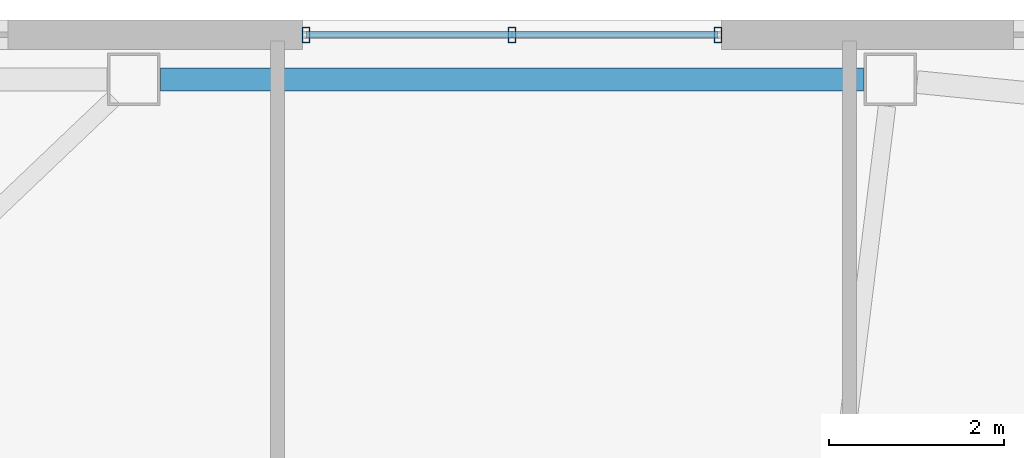
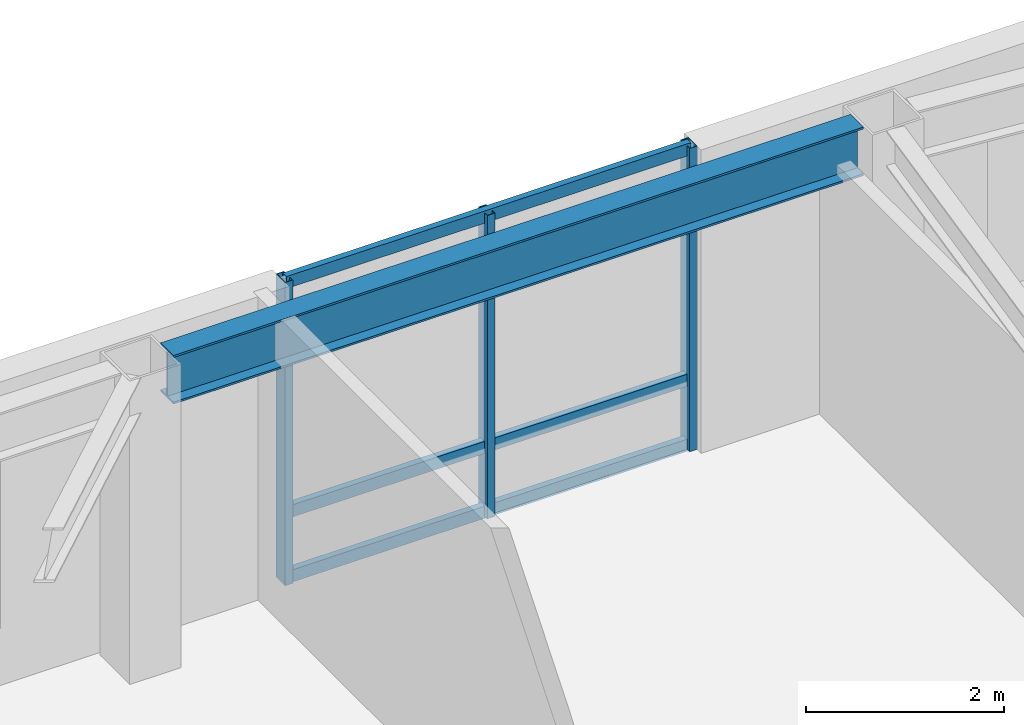
# One storey, part 5 of 16: 6 members, 1 beam, 1 element without a shape of its own.
"""IFC4 building model written with IfcOpenShell, lengths in metres."""

import ifcopenshell
import ifcopenshell.guid

model = None  # the IFC model being written
_history = None  # IfcOwnerHistory: only IFC2X3 demands one
_inside = {}  # id of a spatial element -> (the spatial element, [elements in it])
_under = {}  # id of a project, library or spatial element -> (it, [spatial elements below it])
_declared = {}  # id of a project -> (the project, [libraries it declares])
_typed = {}  # id of a type object -> (the type object, [elements of that type])
_made_of = {}  # id of a material, layer set ... -> (it, [elements and type objects made of it])


def new_model(schema):
    """Start an empty IFC model of exactly this schema.

    Asked for "IFC4X3", IfcOpenShell would pick the latest addendum, in which some entities
    have other attributes; the version numbers below select the first issue.
    IFC2X3 requires an IfcOwnerHistory on every rooted entity: one is made here for all.
    """
    global model, _history
    if schema == "IFC4X3":
        model = ifcopenshell.file(schema_version=(4, 3, 0, 0))
    else:
        model = ifcopenshell.file(schema=schema)
    _inside.clear()
    _under.clear()
    _declared.clear()
    _typed.clear()
    _made_of.clear()
    _history = None
    if model.schema == "IFC2X3":
        org = make("IfcOrganization", Name="unknown")
        user = make(
            "IfcPersonAndOrganization",
            ThePerson=make("IfcPerson", FamilyName="unknown"),
            TheOrganization=org,
        )
        app = make(
            "IfcApplication",
            ApplicationDeveloper=org,
            Version="unknown",
            ApplicationFullName="unknown",
            ApplicationIdentifier="unknown",
        )
        _history = make(
            "IfcOwnerHistory",
            OwningUser=user,
            OwningApplication=app,
            ChangeAction="ADDED",
            CreationDate=0,
        )
    return model


def make(cls, **values):
    """One entity of the class cls with the attributes given. An attribute that is None is left unset."""
    return model.create_entity(
        cls, **{name: value for name, value in values.items() if value is not None}
    )


def rooted(cls, **values):
    """An entity with a GlobalId (a new one), such as an element, a storey or a relation."""
    return make(cls, GlobalId=ifcopenshell.guid.new(), OwnerHistory=_history, **values)


def si_unit(unit_type, name, prefix=None):
    """IfcSIUnit, for example si_unit("LENGTHUNIT", "METRE", prefix="MILLI")."""
    return make("IfcSIUnit", UnitType=unit_type, Prefix=prefix, Name=name)


def assignment(units):
    """IfcUnitAssignment: the units of a project."""
    return None if units is None else make("IfcUnitAssignment", Units=units)


def point(xyz):
    """IfcCartesianPoint."""
    return None if xyz is None else make("IfcCartesianPoint", Coordinates=xyz)


def direction(xyz):
    """IfcDirection."""
    return None if xyz is None else make("IfcDirection", DirectionRatios=xyz)


def frame(location, z_axis=None, x_axis=None):
    """IfcAxis2Placement3D, a coordinate frame: its origin and axes. An axis left out is left unset."""
    return make(
        "IfcAxis2Placement3D",
        Location=point(location),
        Axis=direction(z_axis),
        RefDirection=direction(x_axis),
    )


def frame_2d(location, x_axis=None):
    """IfcAxis2Placement2D, a coordinate frame in the plane: its origin and x axis."""
    return make(
        "IfcAxis2Placement2D", Location=point(location), RefDirection=direction(x_axis)
    )


def origin():
    """The frame at (0, 0, 0) with its axes left unset."""
    return frame((0.0, 0.0, 0.0))


def origin_2d():
    """The frame at (0, 0) in the plane with its x axis left unset."""
    return frame_2d((0.0, 0.0))


def place(relative_to, where):
    """IfcLocalPlacement: puts the frame where relative to a parent placement (None: the world)."""
    return make(
        "IfcLocalPlacement", PlacementRelTo=relative_to, RelativePlacement=where
    )


def context(
    kind, dimensions, precision=None, world=None, true_north=None, identifier=None
):
    """IfcGeometricRepresentationContext, for example the 3D "Model" context."""
    return make(
        "IfcGeometricRepresentationContext",
        ContextIdentifier=identifier,
        ContextType=kind,
        CoordinateSpaceDimension=dimensions,
        Precision=precision,
        WorldCoordinateSystem=world,
        TrueNorth=true_north,
    )


def subcontext(parent, identifier, kind, view, scale=None):
    """IfcGeometricRepresentationSubContext, for example "Body" below "Model"."""
    return make(
        "IfcGeometricRepresentationSubContext",
        ContextIdentifier=identifier,
        ContextType=kind,
        ParentContext=parent,
        TargetScale=scale,
        TargetView=view,
    )


def project(units=None, contexts=None):
    """IfcProject with its units and contexts."""
    return rooted(
        "IfcProject",
        Name="project",
        RepresentationContexts=contexts,
        UnitsInContext=assignment(units),
    )


def spatial(cls, under=None, at=None, **own):
    """A site, building, storey or space (cls), placed at a placement, below another one or the project."""
    s = rooted(cls, ObjectPlacement=at, **own)
    if under is not None:
        _under.setdefault(under.id(), (under, []))[1].append(s)
    return s


def profile(cls, at=None, kind="AREA", **sizes):
    """A parametric profile (cls). Its sizes go by their IFC names, for example OverallWidth=200.0."""
    return make(cls, ProfileType=kind, Position=at, **sizes)


def hollow_rectangle(**sizes):
    """IfcRectangleHollowProfileDef."""
    return profile("IfcRectangleHollowProfileDef", **sizes)


def i_section(**sizes):
    """IfcIShapeProfileDef."""
    return profile("IfcIShapeProfileDef", **sizes)


def extrude(swept, where, along, depth):
    """IfcExtrudedAreaSolid: the profile swept, set in the frame where, extruded along a direction by depth."""
    return make(
        "IfcExtrudedAreaSolid",
        SweptArea=swept,
        Position=where,
        ExtrudedDirection=direction(along),
        Depth=depth,
    )


def shape(context_of_items, identifier, shape_type, items):
    """IfcShapeRepresentation: the items that make up one representation, for example the "Body"."""
    return make(
        "IfcShapeRepresentation",
        ContextOfItems=context_of_items,
        RepresentationIdentifier=identifier,
        RepresentationType=shape_type,
        Items=items,
    )


def material(Name=None, Category=None):
    """IfcMaterial."""
    return make("IfcMaterial", Name=Name, Category=Category)


def layer(
    of_material, thickness, ventilated=None, Name=None, Category=None, Priority=None
):
    """IfcMaterialLayer: one layer of a wall or slab, of a material (None: an air gap)."""
    return make(
        "IfcMaterialLayer",
        Material=of_material,
        LayerThickness=thickness,
        IsVentilated=ventilated,
        Name=Name,
        Category=Category,
        Priority=Priority,
    )


def layer_set(layers, Name=None):
    """IfcMaterialLayerSet."""
    return make("IfcMaterialLayerSet", MaterialLayers=layers, LayerSetName=Name)


def material_profile(
    of_material, cross_section, Name=None, Category=None, Priority=None
):
    """IfcMaterialProfile: a cross section and its material."""
    return make(
        "IfcMaterialProfile",
        Name=Name,
        Material=of_material,
        Profile=cross_section,
        Priority=Priority,
        Category=Category,
    )


def profile_set(profiles, Name=None, composite=None):
    """IfcMaterialProfileSet."""
    return make(
        "IfcMaterialProfileSet",
        Name=Name,
        MaterialProfiles=profiles,
        CompositeProfile=composite,
    )


def made_of(thing, what):
    """Note that an element or type object is made of a material, layer set ...; save() writes the relation."""
    if what is not None:
        _made_of.setdefault(what.id(), (what, []))[1].append(thing)
    return thing


def type_object(cls, material=None, **own):
    """A type object (cls), such as IfcWallType, which elements share."""
    return made_of(rooted(cls, **own), material)


def element(
    cls,
    number,
    at=None,
    inside=None,
    cuts=None,
    type_object=None,
    material=None,
    context=None,
    identifier="Body",
    shape_type=None,
    held_by="IfcProductDefinitionShape",
    body=None,
    shapes=None,
    **own,
):
    """One element of the class cls, such as IfcWall. Its Tag is "e" and its number.

    at: its placement. inside: the storey or other place that contains it. cuts: it is an
    opening in that element (IfcRelVoidsElement). A single representation is given by context,
    identifier, shape_type and body (its items); several are given by shapes. held_by: the class
    of the entity that holds the representations. save() writes the other relations.
    """
    e = rooted(cls, Tag="e%d" % number, ObjectPlacement=at, **own)
    if body is not None:
        shapes = [shape(context, identifier, shape_type, body)]
    if shapes is not None:
        e.Representation = make(held_by, Representations=shapes)
    if inside is not None:
        _inside.setdefault(inside.id(), (inside, []))[1].append(e)
    if cuts is not None:
        rooted(
            "IfcRelVoidsElement", RelatingBuildingElement=cuts, RelatedOpeningElement=e
        )
    if type_object is not None:
        _typed.setdefault(type_object.id(), (type_object, []))[1].append(e)
    return made_of(e, material)


def aggregate(whole, parts):
    """IfcRelAggregates: a whole, such as a stair, and the parts it consists of."""
    return rooted("IfcRelAggregates", RelatingObject=whole, RelatedObjects=parts)


def save(model, path):
    """Write the relations noted so far, then the file.

    IfcRelAggregates (storeys below a building ...), IfcRelContainedInSpatialStructure (elements
    in a storey), IfcRelDefinesByType, IfcRelAssociatesMaterial and IfcRelDeclares: one each for
    every whole, place, type object, material and project.
    """
    for whole, parts in _under.values():
        aggregate(whole, parts)
    for where, things in _inside.values():
        rooted(
            "IfcRelContainedInSpatialStructure",
            RelatedElements=things,
            RelatingStructure=where,
        )
    for kind, things in _typed.values():
        rooted("IfcRelDefinesByType", RelatedObjects=things, RelatingType=kind)
    for what, things in _made_of.values():
        rooted("IfcRelAssociatesMaterial", RelatedObjects=things, RelatingMaterial=what)
    for by, libraries in _declared.values():
        rooted("IfcRelDeclares", RelatingContext=by, RelatedDefinitions=libraries)
    model.write(path)


model = new_model("IFC4")

# Units and contexts
model_context = context("Model", 3, precision=1e-05, world=origin(), true_north=direction((0.0, 1.0)))
body_context = subcontext(model_context, "Body", "Model", "MODEL_VIEW")
ifc_project = project(units=[si_unit("LENGTHUNIT", "METRE"), si_unit("AREAUNIT", "SQUARE_METRE"), si_unit("VOLUMEUNIT", "CUBIC_METRE"), si_unit("PLANEANGLEUNIT", "RADIAN"), si_unit("MASSUNIT", "GRAM", prefix="KILO")], contexts=[model_context])

# Site, building, storey
site_placement = place(None, origin())
site = spatial("IfcSite", under=ifc_project, at=site_placement, CompositionType="ELEMENT")
building_placement = place(site_placement, origin())
building = spatial("IfcBuilding", under=site, at=building_placement, Name="Tavrogorsk Clinical Tower", CompositionType="ELEMENT")
storey_placement = place(building_placement, frame((0.0, 0.0, 164.199951171875)))
storey = spatial("IfcBuildingStorey", under=building, at=storey_placement, Name="L37", CompositionType="ELEMENT", Elevation=164.199951171875)

# Curtain wall, members
ifc_material_1 = material(Name="Anodised aluminium and triple IGU glazing", Category="aluminium")
ifc_layer = layer(ifc_material_1, 0.179931640625)
ifc_layer_set = layer_set([ifc_layer], Name="Anodised aluminium and triple IGU glazing")
curtain_wall_type = type_object("IfcCurtainWallType", Name="CW2_NorthSlot", PredefinedType="NOTDEFINED", material=ifc_layer_set)
curtain_wall_placement = place(storey_placement, origin())
curtain_wall = element("IfcCurtainWall", 1, at=curtain_wall_placement, inside=storey, type_object=curtain_wall_type, Name="L37 Curtain Wall CW-L37-N-SLOT-1", PredefinedType="NOTDEFINED")
ifc_material_2 = material(Name="Anodised aluminium alloy AW-6060", Category="aluminium")
ifc_material_profile_1 = material_profile(ifc_material_2, hollow_rectangle(XDim=0.090087890625, YDim=0.179931640625, WallThickness=0.00634765625, at=origin_2d()), Name="RHS-180x90x6.3")
ifc_profile_set_1 = profile_set([ifc_material_profile_1], Name="Anodised aluminium alloy AW-6060")
member_type_1 = type_object("IfcMemberType", Name="CwMullion_180x90", PredefinedType="MULLION", material=ifc_profile_set_1)
member_1_placement = place(storey_placement, frame((-3.90380859375, 26.929931640625, 0.0), z_axis=(0.0, 0.0, 1.0), x_axis=(-1.0, 0.0, 0.0)))
member_1 = element("IfcMember", 2, at=member_1_placement, type_object=member_type_1, Name="CW-L37-N-SLOT-1 Mullion 1", PredefinedType="MULLION", context=body_context, shape_type="SweptSolid", body=[
    extrude(hollow_rectangle(XDim=0.090087890625, YDim=0.179931640625, WallThickness=0.00634765625, at=origin_2d()), origin(), (0.0, 0.0, 1.0), 3.739990234375),
])
member_2_placement = place(storey_placement, frame((-6.262939453125, 26.929931640625, 0.0), z_axis=(0.0, 0.0, 1.0), x_axis=(-1.0, 0.0, 0.0)))
member_2 = element("IfcMember", 3, at=member_2_placement, type_object=member_type_1, Name="CW-L37-N-SLOT-1 Mullion 2", PredefinedType="MULLION", context=body_context, shape_type="SweptSolid", body=[
    extrude(hollow_rectangle(XDim=0.090087890625, YDim=0.179931640625, WallThickness=0.00634765625, at=origin_2d()), origin(), (0.0, 0.0, 1.0), 3.739990234375),
])
member_3_placement = place(storey_placement, frame((-8.621826171875, 26.929931640625, 0.0), z_axis=(0.0, 0.0, 1.0), x_axis=(-1.0, 0.0, 0.0)))
member_3 = element("IfcMember", 4, at=member_3_placement, type_object=member_type_1, Name="CW-L37-N-SLOT-1 Mullion 3", PredefinedType="MULLION", context=body_context, shape_type="SweptSolid", body=[
    extrude(hollow_rectangle(XDim=0.090087890625, YDim=0.179931640625, WallThickness=0.00634765625, at=origin_2d()), origin(), (0.0, 0.0, 1.0), 3.739990234375),
])
ifc_material_3 = material(Name="Anodised aluminium alloy AW-6060", Category="aluminium")
ifc_material_profile_2 = material_profile(ifc_material_3, hollow_rectangle(XDim=0.074951171875, YDim=0.14990234375, WallThickness=0.0048828125, at=origin_2d()), Name="RHS-150x75x5")
ifc_profile_set_2 = profile_set([ifc_material_profile_2], Name="Anodised aluminium alloy AW-6060")
member_type_2 = type_object("IfcMemberType", Name="CwTransom_150x75", PredefinedType="USERDEFINED", material=ifc_profile_set_2)
member_4_placement = place(storey_placement, frame((-3.90380859375, 26.929931640625, 0.050048828125), z_axis=(-1.0, 0.0, 0.0), x_axis=(0.0, -1.0, 0.0)))
member_4 = element("IfcMember", 5, at=member_4_placement, type_object=member_type_2, Name="CW-L37-N-SLOT-1 Transom 1", ObjectType="TRANSOM", PredefinedType="USERDEFINED", context=body_context, shape_type="SweptSolid", body=[
    extrude(hollow_rectangle(XDim=0.074951171875, YDim=0.14990234375, WallThickness=0.0048828125, at=origin_2d()), origin(), (0.0, 0.0, 1.0), 4.718017578125),
])
member_5_placement = place(storey_placement, frame((-3.90380859375, 26.929931640625, 0.85009765625), z_axis=(-1.0, 0.0, 0.0), x_axis=(0.0, -1.0, 0.0)))
member_5 = element("IfcMember", 6, at=member_5_placement, type_object=member_type_2, Name="CW-L37-N-SLOT-1 Transom 2", ObjectType="TRANSOM", PredefinedType="USERDEFINED", context=body_context, shape_type="SweptSolid", body=[
    extrude(hollow_rectangle(XDim=0.074951171875, YDim=0.14990234375, WallThickness=0.0048828125, at=origin_2d()), origin(), (0.0, 0.0, 1.0), 4.718017578125),
])
member_6_placement = place(storey_placement, frame((-3.90380859375, 26.929931640625, 3.68994140625), z_axis=(-1.0, 0.0, 0.0), x_axis=(0.0, -1.0, 0.0)))
member_6 = element("IfcMember", 7, at=member_6_placement, type_object=member_type_2, Name="CW-L37-N-SLOT-1 Transom 3", ObjectType="TRANSOM", PredefinedType="USERDEFINED", context=body_context, shape_type="SweptSolid", body=[
    extrude(hollow_rectangle(XDim=0.074951171875, YDim=0.14990234375, WallThickness=0.0048828125, at=origin_2d()), origin(), (0.0, 0.0, 1.0), 4.718017578125),
])
aggregate(curtain_wall, [member_1, member_2, member_3, member_4, member_5, member_6])

# Beam
ifc_material_4 = material(Name="Structural steel S390", Category="steel")
ifc_material_profile_3 = material_profile(ifc_material_4, i_section(OverallWidth=0.260009765625, OverallDepth=0.60009765625, WebThickness=0.014892578125, FlangeThickness=0.02392578125, at=origin_2d()), Name="B-600x260x15x24")
ifc_profile_set_3 = profile_set([ifc_material_profile_3], Name="Structural steel S390")
beam_type = type_object("IfcBeamType", Name="SpandrelBeam_B600", PredefinedType="SPANDREL", material=ifc_profile_set_3)
beam_placement = place(storey_placement, frame((-2.239501953125, 26.419921875, 3.43994140625), z_axis=(-1.0, 0.0, 0.0), x_axis=(0.0, -1.0, 0.0)))
element("IfcBeam", 8, at=beam_placement, inside=storey, type_object=beam_type, Name="L37 Perimeter Spandrel N5-N6", PredefinedType="SPANDREL", context=body_context, shape_type="SweptSolid", body=[
    extrude(i_section(OverallWidth=0.260009765625, OverallDepth=0.60009765625, WebThickness=0.014892578125, FlangeThickness=0.02392578125, at=origin_2d()), origin(), (0.0, 0.0, 1.0), 8.046875),
])

save(model, "model.ifc")
